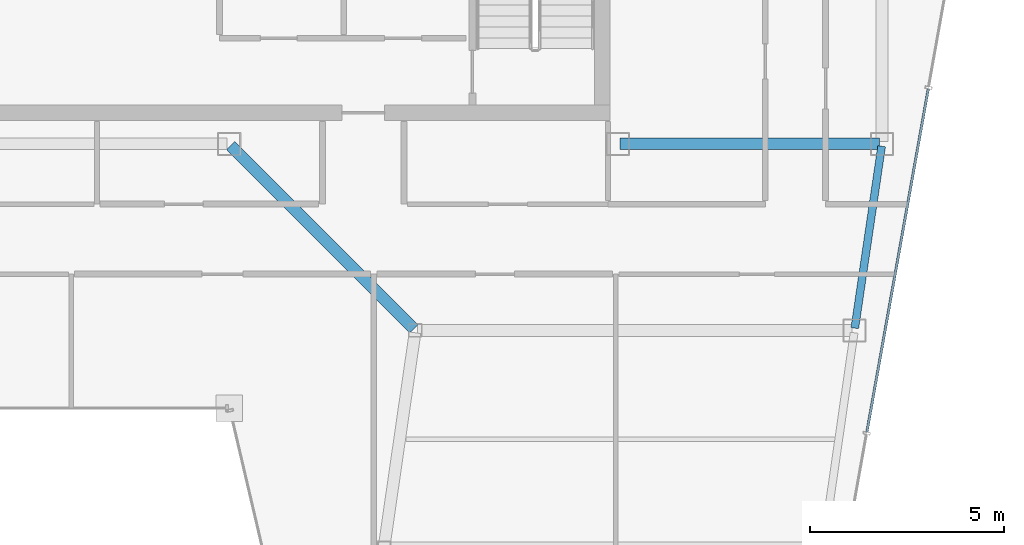
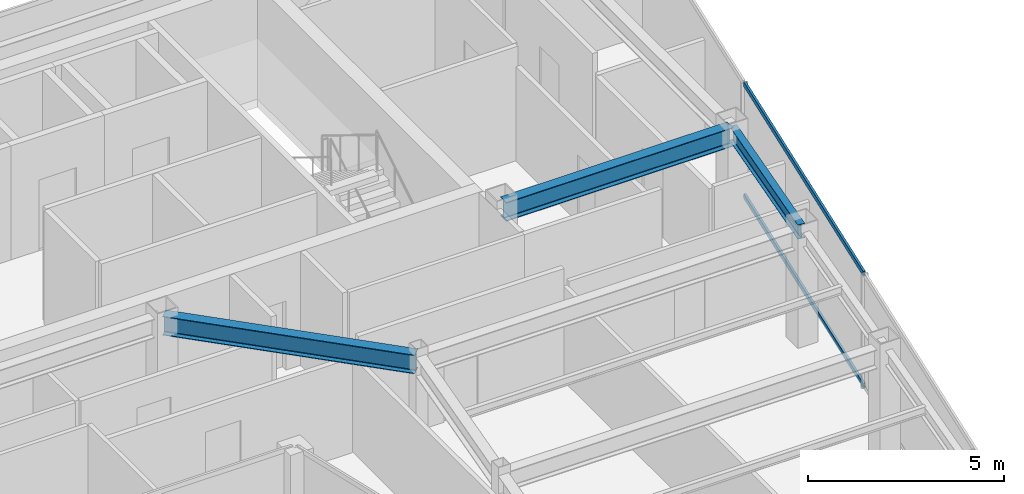
# One storey, part 18 of 32: 3 beams, 2 members, 1 element without a shape of its own.
"""IFC4 building model written with IfcOpenShell, lengths in metres."""

from ifc_helpers import new_model, si_unit, direction, frame, origin, origin_2d, place, context, subcontext, project, spatial, hollow_rectangle, i_section, extrude, material, material_profile, profile_set, type_object, element, aggregate, save


model = new_model("IFC4")

# Units and contexts
model_context = context("Model", 3, precision=1e-05, world=origin(), true_north=direction((0.0, 1.0)))
body_context = subcontext(model_context, "Body", "Model", "MODEL_VIEW")
ifc_project = project(units=[si_unit("LENGTHUNIT", "METRE"), si_unit("AREAUNIT", "SQUARE_METRE"), si_unit("VOLUMEUNIT", "CUBIC_METRE"), si_unit("PLANEANGLEUNIT", "RADIAN"), si_unit("MASSUNIT", "GRAM", prefix="KILO")], contexts=[model_context])

# Site, building, storey
site_placement = place(None, origin())
site = spatial("IfcSite", under=ifc_project, at=site_placement, CompositionType="ELEMENT")
building_placement = place(site_placement, origin())
building = spatial("IfcBuilding", under=site, at=building_placement, Name="Saevonmaru Cultural Tower", CompositionType="ELEMENT")
storey_placement = place(building_placement, frame((0.0, 0.0, 261.0)))
storey = spatial("IfcBuildingStorey", under=building, at=storey_placement, Name="L61", CompositionType="ELEMENT", Elevation=261.0)

# Beams
ifc_material_1 = material(Name="Steel SM355", Category="steel")
ifc_material_profile_1 = material_profile(ifc_material_1, i_section(OverallWidth=0.300048828125, OverallDepth=0.587890625, WebThickness=0.011962890625, FlangeThickness=0.02001953125, FilletRadius=0.02392578125, at=origin_2d()), Name="H-588x300x12x20")
ifc_profile_set_1 = profile_set([ifc_material_profile_1], Name="Steel SM355")
beam_type_1 = type_object("IfcBeamType", Name="BM-G-H588", PredefinedType="BEAM", material=ifc_profile_set_1)
beam_1_placement = place(storey_placement, frame((46.4599609375, 42.39990234375, 3.256103515625), z_axis=(1.0, 0.0, 0.0), x_axis=(0.0, 1.0, 0.0)))
element("IfcBeam", 1, at=beam_1_placement, inside=storey, type_object=beam_type_1, Name="L61 Core South Girder 5", PredefinedType="BEAM", context=body_context, shape_type="SweptSolid", body=[
    extrude(i_section(OverallWidth=0.300048828125, OverallDepth=0.587890625, WebThickness=0.011962890625, FlangeThickness=0.02001953125, FilletRadius=0.02392578125, at=origin_2d()), origin(), (0.0, 0.0, 1.0), 6.679931640625),
])
beam_2_placement = place(storey_placement, frame((41.149658203125, 37.642578125, 3.256103515625), z_axis=(-0.706538566564, 0.707674539572, 0.0), x_axis=(-0.707674539572, -0.706538566564, 0.0)))
element("IfcBeam", 2, at=beam_2_placement, inside=storey, type_object=beam_type_1, Name="L61 East Atrium Girder 3", PredefinedType="BEAM", context=body_context, shape_type="SweptSolid", body=[
    extrude(i_section(OverallWidth=0.300048828125, OverallDepth=0.587890625, WebThickness=0.011962890625, FlangeThickness=0.02001953125, FilletRadius=0.02392578125, at=origin_2d()), origin(), (0.0, 0.0, 1.0), 6.662353515625),
])
ifc_material_profile_2 = material_profile(ifc_material_1, i_section(OverallWidth=0.199951171875, OverallDepth=0.449951171875, WebThickness=0.009033203125, FlangeThickness=0.013916015625, FilletRadius=0.01806640625, at=origin_2d()), Name="H-450x200x9x14")
ifc_profile_set_2 = profile_set([ifc_material_profile_2], Name="Steel SM355")
beam_type_2 = type_object("IfcBeamType", Name="BM-SP-H450", PredefinedType="SPANDREL", material=ifc_profile_set_2)
beam_3_placement = place(storey_placement, frame((52.500732421875, 37.659423828125, 3.324951171875), z_axis=(0.145912860028, 0.989297446312, 0.0), x_axis=(-0.989297446312, 0.145912860028, 0.0)))
element("IfcBeam", 3, at=beam_3_placement, inside=storey, type_object=beam_type_2, Name="L61 East Splayed Spandrel 3", PredefinedType="SPANDREL", context=body_context, shape_type="SweptSolid", body=[
    extrude(i_section(OverallWidth=0.199951171875, OverallDepth=0.449951171875, WebThickness=0.009033203125, FlangeThickness=0.013916015625, FilletRadius=0.01806640625, at=origin_2d()), origin(), (0.0, 0.0, 1.0), 4.731689453125),
])

# Curtain wall, members
ifc_material_2 = material(Name="Satin Bronze Anodised Aluminium", Category="aluminium")
curtain_wall_type = type_object("IfcCurtainWallType", Name="CW-TYP-B", PredefinedType="NOTDEFINED", material=ifc_material_2)
curtain_wall_placement = place(storey_placement, origin())
curtain_wall = element("IfcCurtainWall", 4, at=curtain_wall_placement, inside=storey, type_object=curtain_wall_type, Name="L61 Unitised Curtain Wall E8", PredefinedType="NOTDEFINED")
ifc_material_profile_3 = material_profile(ifc_material_2, hollow_rectangle(XDim=0.06494140625, YDim=0.14990234375, WallThickness=0.00390625, at=origin_2d()), Name="ALU-TRAN-150x65x4")
ifc_profile_set_3 = profile_set([ifc_material_profile_3], Name="Satin Bronze Anodised Aluminium")
member_type = type_object("IfcMemberType", Name="TR-CW-150x65", PredefinedType="USERDEFINED", material=ifc_profile_set_3)
member_1_placement = place(storey_placement, frame((52.812255859375, 34.985107421875, 0.032470703125), z_axis=(0.176123157264, 0.984368139202, 0.0), x_axis=(-0.984368139202, 0.176123157264, 0.0)))
member_1 = element("IfcMember", 5, at=member_1_placement, type_object=member_type, Name="CW-TW-L61-E8 transom 2.1", ObjectType="TRANSOM", PredefinedType="USERDEFINED", context=body_context, shape_type="SweptSolid", body=[
    extrude(hollow_rectangle(XDim=0.06494140625, YDim=0.14990234375, WallThickness=0.00390625, at=origin_2d()), origin(), (0.0, 0.0, 1.0), 8.969970703125),
])
member_2_placement = place(storey_placement, frame((52.812255859375, 34.985107421875, 3.517578125), z_axis=(0.176123157264, 0.984368139202, 0.0), x_axis=(-0.984368139202, 0.176123157264, 0.0)))
member_2 = element("IfcMember", 6, at=member_2_placement, type_object=member_type, Name="CW-TW-L61-E8 transom 2.2", ObjectType="TRANSOM", PredefinedType="USERDEFINED", context=body_context, shape_type="SweptSolid", body=[
    extrude(hollow_rectangle(XDim=0.06494140625, YDim=0.14990234375, WallThickness=0.00390625, at=origin_2d()), origin(), (0.0, 0.0, 1.0), 8.969970703125),
])
aggregate(curtain_wall, [member_1, member_2])

save(model, "model.ifc")
